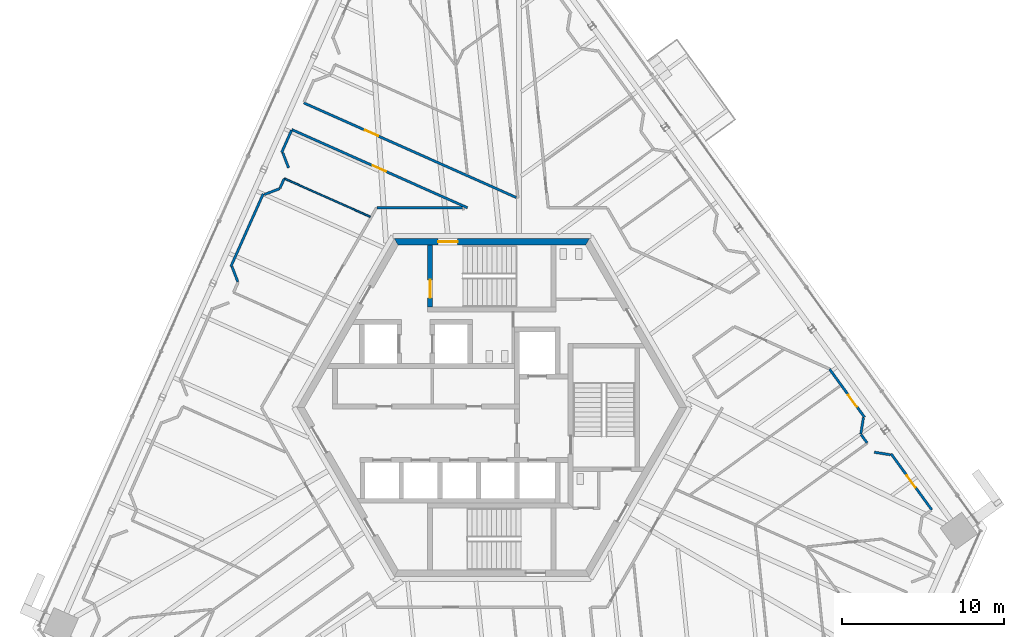
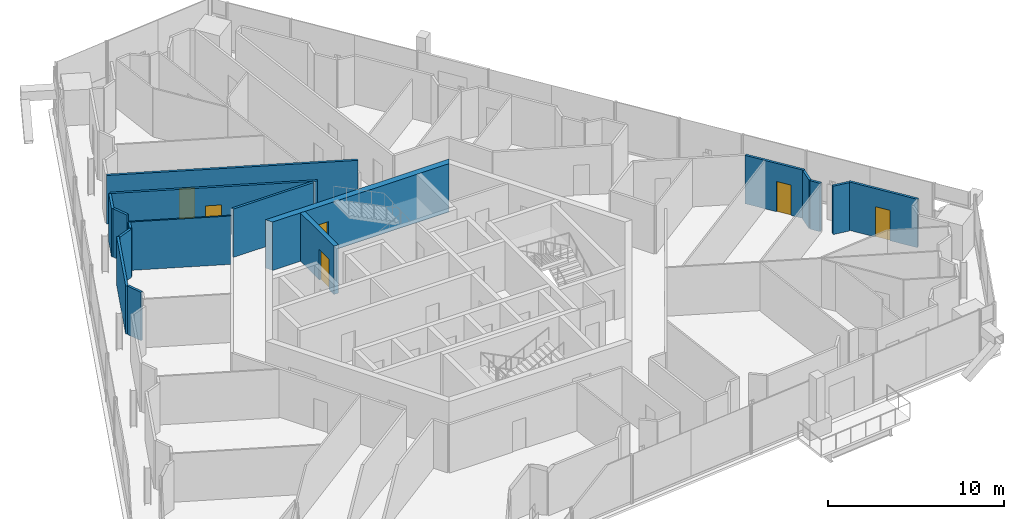
# One storey, part 19 of 26: 17 walls, 6 doors, 6 openings.
"""IFC4 building model written with IfcOpenShell, lengths in metres."""

from ifc_helpers import new_model, si_unit, direction, frame, frame_2d, origin, place, context, subcontext, project, spatial, polyline, rectangle, outline, extrude, source, transform, mapped, material, layer, layer_set, type_object, element, fill, save


model = new_model("IFC4")

# Units and contexts
model_context = context("Model", 3, precision=1e-05, world=origin(), true_north=direction((0.0, 1.0)))
body_context = subcontext(model_context, "Body", "Model", "MODEL_VIEW")
ifc_project = project(units=[si_unit("LENGTHUNIT", "METRE"), si_unit("AREAUNIT", "SQUARE_METRE"), si_unit("VOLUMEUNIT", "CUBIC_METRE"), si_unit("PLANEANGLEUNIT", "RADIAN"), si_unit("MASSUNIT", "GRAM", prefix="KILO")], contexts=[model_context])

# Site, building, storey
site_placement = place(None, origin())
site = spatial("IfcSite", under=ifc_project, at=site_placement, CompositionType="ELEMENT")
building_placement = place(site_placement, origin())
building = spatial("IfcBuilding", under=site, at=building_placement, Name="Triune Harvest Tower", CompositionType="ELEMENT")
storey_placement = place(building_placement, frame((0.0, 0.0, 252.10009765625)))
storey = spatial("IfcBuildingStorey", under=building, at=storey_placement, Name="L66", CompositionType="ELEMENT", Elevation=252.10009765625)

# Wall, opening, door
ifc_material_1 = material(Name="Gypsum board on steel studs", Category="steel")
ifc_layer_1 = layer(ifc_material_1, 0.14990234375)
ifc_layer_set_1 = layer_set([ifc_layer_1], Name="Gypsum board on steel studs")
wall_type_1 = type_object("IfcWallType", Name="Fire Partition 150 mm", PredefinedType="PARTITIONING", material=ifc_layer_set_1)
wall_1_placement = place(storey_placement, frame((20.787353515625, 2.358154296875, 0.0), z_axis=(0.0, 0.0, 1.0), x_axis=(0.587814591272, -0.808995677546, 0.0)))
wall_1 = element("IfcWall", 1, at=wall_1_placement, inside=storey, type_object=wall_type_1, Name="Partition L66 039", PredefinedType="PARTITIONING", context=body_context, shape_type="SweptSolid", body=[
    extrude(rectangle(XDim=3.6591796875, YDim=0.14990234375, at=frame_2d((1.82958984375, 0.0))), origin(), (0.0, 0.0, 1.0), 3.349853515625),
])
opening_1_placement = place(wall_1_placement, frame((1.95849609375, 0.0, 0.0)))
opening_1 = element("IfcOpeningElement", 2, at=opening_1_placement, cuts=wall_1, Name="Opening L66-003", PredefinedType="OPENING", context=body_context, shape_type="SweptSolid", body=[
    extrude(rectangle(XDim=0.89990234375, YDim=2.10009765625, at=frame_2d((0.449951171875, 1.050048828125))), frame((0.0, 0.0849609375, 0.0), z_axis=(0.0, -1.0, 0.0), x_axis=(1.0, 0.0, 0.0)), (0.0, 0.0, 1.0), 0.169921875),
])
ifc_material_2 = material(Name="Timber and steel door set", Category="steel")
door_type_1 = type_object("IfcDoorType", Name="Single leaf door FD30 left hand 900 x 2100", OperationType="SINGLE_SWING_LEFT", PredefinedType="DOOR", material=ifc_material_2)
door_1_placement = place(opening_1_placement, origin())
door_1 = element("IfcDoor", 3, at=door_1_placement, inside=storey, type_object=door_type_1, Name="Door L66-003 Pantry 66.03", OperationType="SINGLE_SWING_LEFT", OverallHeight=2.10009765625, OverallWidth=0.89990234375, PredefinedType="DOOR", context=body_context, shape_type="SweptSolid", body=[
    extrude(rectangle(XDim=0.89990234375, YDim=2.10009765625, at=frame_2d((0.449951171875, 1.050048828125))), frame((0.0, 0.02490234375, 0.0), z_axis=(0.0, -1.0, 0.0), x_axis=(1.0, 0.0, 0.0)), (0.0, 0.0, 1.0), 0.050048828125),
])
fill(opening_1, door_1)

wall_2_placement = place(storey_placement, frame((-12.310546875, 17.10498046875, 0.0), z_axis=(0.0, 0.0, 1.0), x_axis=(0.91354845138, -0.406729918966, 0.0)))
wall_2 = element("IfcWall", 4, at=wall_2_placement, inside=storey, type_object=wall_type_1, Name="Partition L66 055", PredefinedType="PARTITIONING", context=body_context, shape_type="SweptSolid", body=[
    extrude(rectangle(XDim=11.832763671875, YDim=0.14990234375, at=frame_2d((5.91650390625, 0.0))), origin(), (0.0, 0.0, 1.0), 3.349853515625),
])
opening_2_placement = place(wall_2_placement, frame((5.449951171875, 0.0, 0.0)))
opening_2 = element("IfcOpeningElement", 5, at=opening_2_placement, cuts=wall_2, Name="Opening L66-013", PredefinedType="OPENING", context=body_context, shape_type="SweptSolid", body=[
    extrude(rectangle(XDim=0.89990234375, YDim=2.10009765625, at=frame_2d((0.449951171875, 1.050048828125))), frame((0.0, 0.0849609375, 0.0), z_axis=(0.0, -1.0, 0.0), x_axis=(1.0, 0.0, 0.0)), (0.0, 0.0, 1.0), 0.169921875),
])
ifc_material_3 = material(Name="Timber and steel door set", Category="steel")
door_type_2 = type_object("IfcDoorType", Name="Single leaf door FD30 right hand 900 x 2100", OperationType="SINGLE_SWING_RIGHT", PredefinedType="DOOR", material=ifc_material_3)
door_2_placement = place(opening_2_placement, origin())
door_2 = element("IfcDoor", 6, at=door_2_placement, inside=storey, type_object=door_type_2, Name="Door L66-013 Meeting Room 66.13", OperationType="SINGLE_SWING_RIGHT", OverallHeight=2.10009765625, OverallWidth=0.89990234375, PredefinedType="DOOR", context=body_context, shape_type="SweptSolid", body=[
    extrude(rectangle(XDim=0.89990234375, YDim=2.10009765625, at=frame_2d((0.449951171875, 1.050048828125))), frame((0.0, 0.02490234375, 0.0), z_axis=(0.0, -1.0, 0.0), x_axis=(1.0, 0.0, 0.0)), (0.0, 0.0, 1.0), 0.050048828125),
])
fill(opening_2, door_2)

wall_3_placement = place(storey_placement, frame((-11.578369140625, 18.74951171875, 0.0), z_axis=(0.0, 0.0, 1.0), x_axis=(0.913539925141, -0.406749069049, 0.0)))
wall_3 = element("IfcWall", 7, at=wall_3_placement, inside=storey, type_object=wall_type_1, Name="Partition L66 057", PredefinedType="PARTITIONING", context=body_context, shape_type="SweptSolid", body=[
    extrude(rectangle(XDim=14.317626953125, YDim=0.14990234375, at=frame_2d((7.15869140625, 0.0))), origin(), (0.0, 0.0, 1.0), 3.349853515625),
])
opening_3_placement = place(wall_3_placement, frame((4.1259765625, 0.0, 0.0)))
opening_3 = element("IfcOpeningElement", 8, at=opening_3_placement, cuts=wall_3, Name="Opening L66-014", PredefinedType="OPENING", context=body_context, shape_type="SweptSolid", body=[
    extrude(rectangle(XDim=0.89990234375, YDim=2.10009765625, at=frame_2d((0.449951171875, 1.050048828125))), frame((0.0, 0.0849609375, 0.0), z_axis=(0.0, -1.0, 0.0), x_axis=(1.0, 0.0, 0.0)), (0.0, 0.0, 1.0), 0.169921875),
])
door_3_placement = place(opening_3_placement, origin())
door_3 = element("IfcDoor", 9, at=door_3_placement, inside=storey, type_object=door_type_1, Name="Door L66-014 Office 66.14", OperationType="SINGLE_SWING_LEFT", OverallHeight=2.10009765625, OverallWidth=0.89990234375, PredefinedType="DOOR", context=body_context, shape_type="SweptSolid", body=[
    extrude(rectangle(XDim=0.89990234375, YDim=2.10009765625, at=frame_2d((0.449951171875, 1.050048828125))), frame((0.0, 0.02490234375, 0.0), z_axis=(0.0, -1.0, 0.0), x_axis=(1.0, 0.0, 0.0)), (0.0, 0.0, 1.0), 0.050048828125),
])
fill(opening_3, door_3)

# Walls
wall_4_placement = place(storey_placement, frame((-7.056884765625, 12.292236328125, 0.0), z_axis=(0.0, 0.0, 1.0), x_axis=(1.0, 0.0, 0.0)))
element("IfcWall", 10, at=wall_4_placement, inside=storey, type_object=wall_type_1, Name="Partition L66 068", PredefinedType="PARTITIONING", context=body_context, shape_type="SweptSolid", body=[
    extrude(rectangle(XDim=5.256103515625, YDim=0.14990234375, at=frame_2d((2.6279296875, 0.0))), origin(), (0.0, 0.0, 1.0), 3.349853515625),
])
wall_5_placement = place(storey_placement, frame((-12.941162109375, 15.6884765625, 0.0), z_axis=(0.0, 0.0, 1.0), x_axis=(0.406742200862, 0.913542983136, 0.0)))
element("IfcWall", 11, at=wall_5_placement, inside=storey, type_object=wall_type_1, Name="Partition L66 136", PredefinedType="PARTITIONING", context=body_context, shape_type="SweptSolid", body=[
    extrude(rectangle(XDim=1.50048828125, YDim=0.14990234375, at=frame_2d((0.750244140625, 0.0))), origin(), (0.0, 0.0, 1.0), 3.349853515625),
])
ifc_material_4 = material(Name="Gypsum board on steel studs", Category="steel")
ifc_layer_2 = layer(ifc_material_4, 0.10009765625)
ifc_layer_set_2 = layer_set([ifc_layer_2], Name="Gypsum board on steel studs")
wall_type_2 = type_object("IfcWallType", Name="Partition 100 mm", PredefinedType="PARTITIONING", material=ifc_layer_set_2)
wall_6_placement = place(storey_placement, frame((-12.77685546875, 14.094970703125, 0.0), z_axis=(0.0, 0.0, 1.0), x_axis=(0.91354368045, -0.406740634693, 0.0)))
element("IfcWall", 12, at=wall_6_placement, inside=storey, type_object=wall_type_2, Name="Partition L66 054", PredefinedType="PARTITIONING", context=body_context, shape_type="SweptSolid", body=[
    extrude(rectangle(XDim=5.792236328125, YDim=0.10009765625, at=frame_2d((2.89599609375, 0.0))), origin(), (0.0, 0.0, 1.0), 3.349853515625),
])

# Wall, opening, door
ifc_material_5 = material(Name="Concrete 70 MPa", Category="concrete")
ifc_layer_3 = layer(ifc_material_5, 0.39990234375)
ifc_layer_set_3 = layer_set([ifc_layer_3], Name="Concrete 70 MPa")
wall_type_3 = type_object("IfcWallType", Name="Core wall 400", PredefinedType="SHEAR", material=ifc_layer_set_3)
shared_shape_1 = source(origin(), body_context, "Body", "SweptSolid", [
    extrude(outline(polyline([(-0.115478515625, -0.199951171875), (11.884521484375, -0.199951171875), (11.653564453125, 0.199951171875), (0.115478515625, 0.199951171875), (-0.115478515625, -0.199951171875)])), origin(), (0.0, 0.0, 1.0), 3.349853515625),
])
wall_7_placement = place(storey_placement, frame((5.884521484375, 10.1923828125, 0.0), z_axis=(0.0, 0.0, 1.0), x_axis=(-1.0, 0.0, 0.0)))
wall_7 = element("IfcWall", 13, at=wall_7_placement, inside=storey, type_object=wall_type_3, Name="Hexagon 1 wall", PredefinedType="SHEAR", context=body_context, shape_type="MappedRepresentation", body=[
    mapped(shared_shape_1, transform((0.0, 0.0, 0.0), scale=1.0)),
])
opening_4_placement = place(wall_7_placement, frame((7.984619140625, 0.0, 0.0)))
opening_4 = element("IfcOpeningElement", 14, at=opening_4_placement, cuts=wall_7, Name="Opening CD-S1P", PredefinedType="OPENING", context=body_context, shape_type="SweptSolid", body=[
    extrude(rectangle(XDim=1.199951171875, YDim=2.10009765625, at=frame_2d((0.60009765625, 1.050048828125))), frame((0.0, 0.2099609375, 0.0), z_axis=(0.0, -1.0, 0.0), x_axis=(1.0, 0.0, 0.0)), (0.0, 0.0, 1.0), 0.419921875),
])
ifc_material_6 = material(Name="Steel S235", Category="steel")
door_type_3 = type_object("IfcDoorType", Name="Stair door 1200 FD120", OperationType="SINGLE_SWING_LEFT", PredefinedType="DOOR", material=ifc_material_6)
door_4_placement = place(opening_4_placement, frame((1.199951171875, 0.0, 0.0), z_axis=(0.0, 0.0, 1.0), x_axis=(-1.0, 0.0, 0.0)))
door_4 = element("IfcDoor", 15, at=door_4_placement, inside=storey, type_object=door_type_3, Name="Door CD-S1P", OperationType="SINGLE_SWING_RIGHT", OverallHeight=2.10009765625, OverallWidth=1.199951171875, PredefinedType="DOOR", context=body_context, shape_type="SweptSolid", body=[
    extrude(rectangle(XDim=1.199951171875, YDim=2.10009765625, at=frame_2d((0.60009765625, 1.050048828125))), frame((0.0, 0.02490234375, 0.0), z_axis=(0.0, -1.0, 0.0), x_axis=(1.0, 0.0, 0.0)), (0.0, 0.0, 1.0), 0.050048828125),
])
fill(opening_4, door_4)

ifc_material_7 = material(Name="Concrete 70 MPa", Category="concrete")
ifc_layer_4 = layer(ifc_material_7, 0.300048828125)
ifc_layer_set_4 = layer_set([ifc_layer_4], Name="Concrete 70 MPa")
wall_type_4 = type_object("IfcWallType", Name="Core wall 300", PredefinedType="SHEAR", material=ifc_layer_set_4)
shared_shape_2 = source(origin(), body_context, "Body", "SweptSolid", [
    extrude(outline(polyline([(0.0, -0.14990234375), (0.0, 0.14990234375), (3.80419921875, 0.14990234375), (3.80419921875, -0.14990234375), (0.0, -0.14990234375)])), origin(), (0.0, 0.0, 1.0), 3.349853515625),
])
wall_8_placement = place(storey_placement, frame((-3.800048828125, 6.18994140625, 0.0), z_axis=(0.0, 0.0, 1.0), x_axis=(0.0, 1.0, 0.0)))
wall_8 = element("IfcWall", 16, at=wall_8_placement, inside=storey, type_object=wall_type_4, Name="Stair n west wall", PredefinedType="SHEAR", context=body_context, shape_type="MappedRepresentation", body=[
    mapped(shared_shape_2, transform((0.0, 0.0, 0.0), scale=1.0)),
])
opening_5_placement = place(wall_8_placement, frame((0.56005859375, 0.0, 0.0)))
opening_5 = element("IfcOpeningElement", 17, at=opening_5_placement, cuts=wall_8, Name="Opening CD-S1L", PredefinedType="OPENING", context=body_context, shape_type="SweptSolid", body=[
    extrude(rectangle(XDim=1.10009765625, YDim=2.10009765625, at=frame_2d((0.550048828125, 1.050048828125))), frame((0.0, 0.16015625, 0.0), z_axis=(0.0, -1.0, 0.0), x_axis=(1.0, 0.0, 0.0)), (0.0, 0.0, 1.0), 0.320068359375),
])
ifc_material_8 = material(Name="Steel S235", Category="steel")
door_type_4 = type_object("IfcDoorType", Name="Stair door 1100 FD120", OperationType="SINGLE_SWING_LEFT", PredefinedType="DOOR", material=ifc_material_8)
door_5_placement = place(opening_5_placement, frame((1.10009765625, 0.0, 0.0), z_axis=(0.0, 0.0, 1.0), x_axis=(-1.0, 0.0, 0.0)))
door_5 = element("IfcDoor", 18, at=door_5_placement, inside=storey, type_object=door_type_4, Name="Door CD-S1L", OperationType="SINGLE_SWING_RIGHT", OverallHeight=2.10009765625, OverallWidth=1.10009765625, PredefinedType="DOOR", context=body_context, shape_type="SweptSolid", body=[
    extrude(rectangle(XDim=1.10009765625, YDim=2.10009765625, at=frame_2d((0.550048828125, 1.050048828125))), frame((0.0, 0.02490234375, 0.0), z_axis=(0.0, -1.0, 0.0), x_axis=(1.0, 0.0, 0.0)), (0.0, 0.0, 1.0), 0.050048828125),
])
fill(opening_5, door_5)

# Walls
shared_shape_3 = source(origin(), body_context, "Body", "SweptSolid", [
    extrude(rectangle(XDim=0.9990234375, YDim=0.14990234375, at=frame_2d((0.49951171875, 0.0))), origin(), (0.0, 0.0, 1.0), 3.349853515625),
])
for number, where, z_axis, x_axis, name in (
    (19, (-15.991455078125, 8.664306640625, 0.0), (0.0, 0.0, 1.0), (0.358504131198, -0.933528139862, 0.0), "Partition L66 016"),
    (20, (-12.867919921875, 15.6796875, 0.0), (0.0, 0.0, 1.0), (0.358504131198, -0.933528139862, 0.0), "Partition L66 017"),
):
    element("IfcWall", number, at=place(storey_placement, frame(where, z_axis=z_axis, x_axis=x_axis)), inside=storey, type_object=wall_type_1, Name=name, PredefinedType="PARTITIONING", context=body_context, shape_type="MappedRepresentation", body=[
        mapped(shared_shape_3, transform((0.0, 0.0, 0.0), scale=1.0)),
    ])
shared_shape_4 = source(origin(), body_context, "Body", "SweptSolid", [
    extrude(rectangle(XDim=0.998779296875, YDim=0.14990234375, at=frame_2d((0.49951171875, 0.0))), origin(), (0.0, 0.0, 1.0), 3.349853515625),
])
wall_9_placement = place(storey_placement, frame((23.5400390625, -2.752685546875, 0.0), z_axis=(0.0, 0.0, 1.0), x_axis=(0.987727266442, -0.156188498702, 0.0)))
element("IfcWall", 21, at=wall_9_placement, inside=storey, type_object=wall_type_1, Name="Partition L66 062", PredefinedType="PARTITIONING", context=body_context, shape_type="MappedRepresentation", body=[
    mapped(shared_shape_4, transform((0.0, 0.0, 0.0), scale=1.0)),
])
shared_shape_5 = source(origin(), body_context, "Body", "SweptSolid", [
    extrude(rectangle(XDim=0.626708984375, YDim=0.14990234375, at=frame_2d((0.3134765625, 0.0))), origin(), (0.0, 0.0, 1.0), 3.349853515625),
])
wall_10_placement = place(storey_placement, frame((22.724609375, -1.66650390625, 0.0), z_axis=(0.0, 0.0, 1.0), x_axis=(0.587522870446, -0.809207560953, 0.0)))
element("IfcWall", 22, at=wall_10_placement, inside=storey, type_object=wall_type_1, Name="Partition L66 034", PredefinedType="PARTITIONING", context=body_context, shape_type="MappedRepresentation", body=[
    mapped(shared_shape_5, transform((0.0, 0.0, 0.0), scale=1.0)),
])

# Wall, opening, door
shared_shape_6 = source(origin(), body_context, "Body", "SweptSolid", [
    extrude(rectangle(XDim=4.26025390625, YDim=0.14990234375, at=frame_2d((2.130126953125, 0.0))), origin(), (0.0, 0.0, 1.0), 3.349853515625),
])
wall_11_placement = place(storey_placement, frame((24.571044921875, -2.849609375, 0.0), z_axis=(0.0, 0.0, 1.0), x_axis=(0.587800222867, -0.809006117404, 0.0)))
wall_11 = element("IfcWall", 23, at=wall_11_placement, inside=storey, type_object=wall_type_1, Name="Partition L66 040", PredefinedType="PARTITIONING", context=body_context, shape_type="MappedRepresentation", body=[
    mapped(shared_shape_6, transform((0.0, 0.0, 0.0), scale=1.0)),
])
opening_6_placement = place(wall_11_placement, frame((1.650146484375, 0.0, 0.0)))
opening_6 = element("IfcOpeningElement", 24, at=opening_6_placement, cuts=wall_11, Name="Opening L66-001", PredefinedType="OPENING", context=body_context, shape_type="SweptSolid", body=[
    extrude(rectangle(XDim=0.89990234375, YDim=2.10009765625, at=frame_2d((0.449951171875, 1.050048828125))), frame((0.0, 0.0849609375, 0.0), z_axis=(0.0, -1.0, 0.0), x_axis=(1.0, 0.0, 0.0)), (0.0, 0.0, 1.0), 0.169921875),
])
door_6_placement = place(opening_6_placement, origin())
door_6 = element("IfcDoor", 25, at=door_6_placement, inside=storey, type_object=door_type_2, Name="Door L66-001 Project Room 66.01", OperationType="SINGLE_SWING_RIGHT", OverallHeight=2.10009765625, OverallWidth=0.89990234375, PredefinedType="DOOR", context=body_context, shape_type="SweptSolid", body=[
    extrude(rectangle(XDim=0.89990234375, YDim=2.10009765625, at=frame_2d((0.449951171875, 1.050048828125))), frame((0.0, 0.02490234375, 0.0), z_axis=(0.0, -1.0, 0.0), x_axis=(1.0, 0.0, 0.0)), (0.0, 0.0, 1.0), 0.050048828125),
])
fill(opening_6, door_6)

# Walls
shared_shape_7 = source(origin(), body_context, "Body", "SweptSolid", [
    extrude(rectangle(XDim=1.029052734375, YDim=0.14990234375, at=frame_2d((0.5146484375, 0.0))), origin(), (0.0, 0.0, 1.0), 3.349853515625),
])
for number, where, z_axis, x_axis, name in (
    (26, (-14.015380859375, 13.101806640625, 0.0), (0.0, 0.0, 1.0), (0.933541129781, 0.358470304218, 0.0), "Partition L66 093"),
    (27, (22.707275390625, -1.642333984375, 0.0), (0.0, 0.0, 1.0), (0.15635243246, 0.987701329787, 0.0), "Partition L66 140"),
):
    element("IfcWall", number, at=place(storey_placement, frame(where, z_axis=z_axis, x_axis=x_axis)), inside=storey, type_object=wall_type_1, Name=name, PredefinedType="PARTITIONING", context=body_context, shape_type="MappedRepresentation", body=[
        mapped(shared_shape_7, transform((0.0, 0.0, 0.0), scale=1.0)),
    ])
shared_shape_8 = source(origin(), body_context, "Body", "SweptSolid", [
    extrude(rectangle(XDim=4.901123046875, YDim=0.14990234375, at=frame_2d((2.45068359375, 0.0))), origin(), (0.0, 0.0, 1.0), 3.349853515625),
])
wall_12_placement = place(storey_placement, frame((-16.064697265625, 8.67333984375, 0.0), z_axis=(0.0, 0.0, 1.0), x_axis=(0.406734611805, 0.91354636202, 0.0)))
element("IfcWall", 28, at=wall_12_placement, inside=storey, type_object=wall_type_1, Name="Partition L66 135", PredefinedType="PARTITIONING", context=body_context, shape_type="MappedRepresentation", body=[
    mapped(shared_shape_8, transform((0.0, 0.0, 0.0), scale=1.0)),
])
shared_shape_9 = source(origin(), body_context, "Body", "SweptSolid", [
    extrude(rectangle(XDim=0.62890625, YDim=0.14990234375, at=frame_2d((0.314453125, 0.0))), origin(), (0.0, 0.0, 1.0), 3.349853515625),
])
wall_13_placement = place(storey_placement, frame((-13.042724609375, 13.496826171875, 0.0), z_axis=(0.0, 0.0, 1.0), x_axis=(0.406858755519, 0.9134910799, 0.0)))
element("IfcWall", 29, at=wall_13_placement, inside=storey, type_object=wall_type_1, Name="Partition L66 130", PredefinedType="PARTITIONING", context=body_context, shape_type="MappedRepresentation", body=[
    mapped(shared_shape_9, transform((0.0, 0.0, 0.0), scale=1.0)),
])

save(model, "model.ifc")
